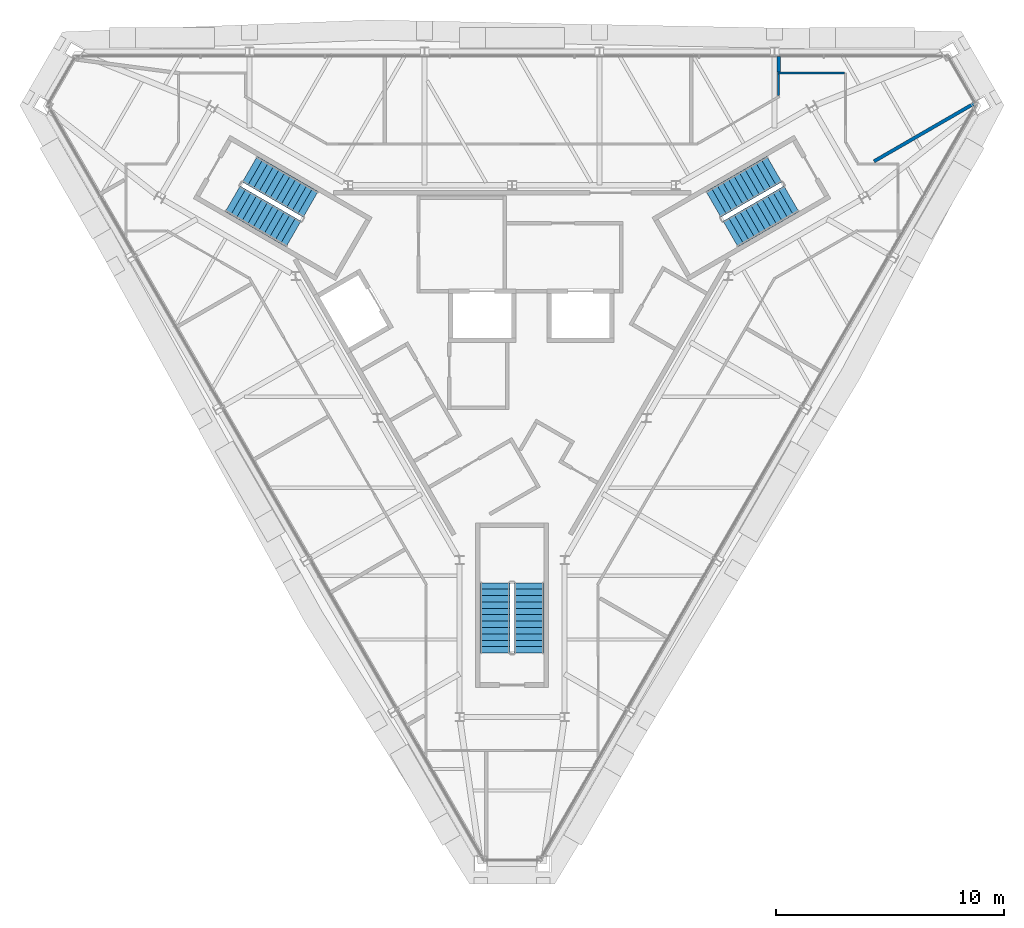
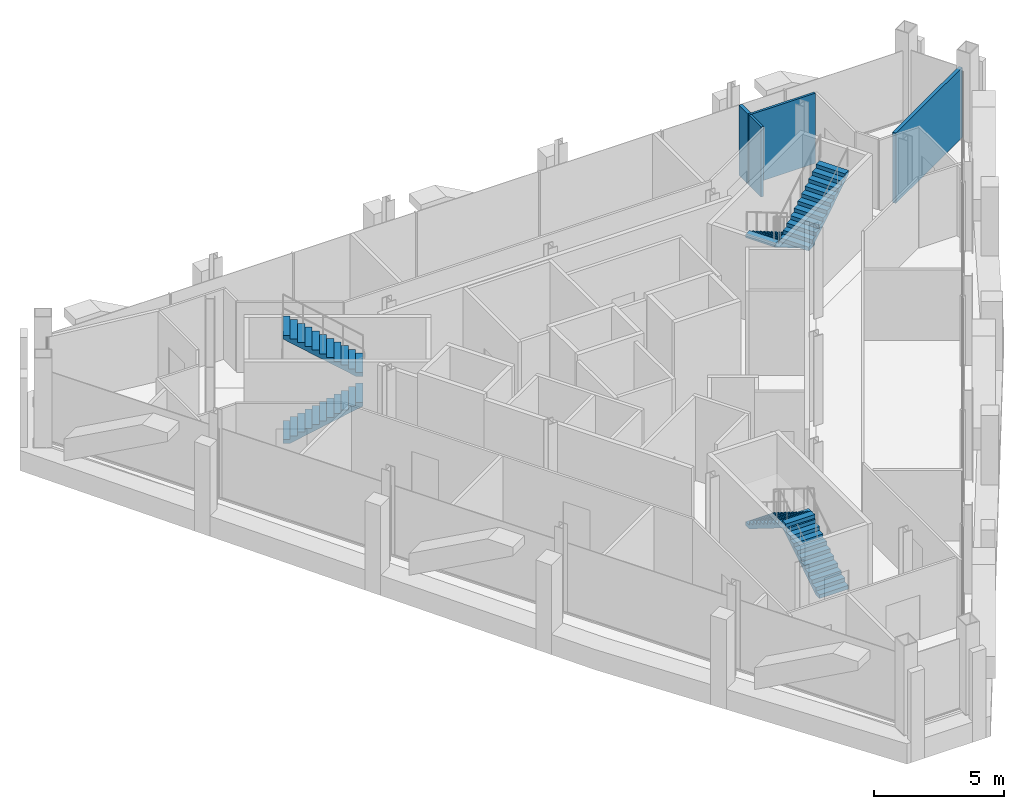
# One storey, part 11 of 13: 6 stair flights, 4 walls, 3 elements without a shape of their own.
"""IFC4 building model written with IfcOpenShell, lengths in metres."""

import ifcopenshell
import ifcopenshell.guid

model = None  # the IFC model being written
_history = None  # IfcOwnerHistory: only IFC2X3 demands one
_inside = {}  # id of a spatial element -> (the spatial element, [elements in it])
_under = {}  # id of a project, library or spatial element -> (it, [spatial elements below it])
_declared = {}  # id of a project -> (the project, [libraries it declares])
_typed = {}  # id of a type object -> (the type object, [elements of that type])
_made_of = {}  # id of a material, layer set ... -> (it, [elements and type objects made of it])


def new_model(schema):
    """Start an empty IFC model of exactly this schema.

    Asked for "IFC4X3", IfcOpenShell would pick the latest addendum, in which some entities
    have other attributes; the version numbers below select the first issue.
    IFC2X3 requires an IfcOwnerHistory on every rooted entity: one is made here for all.
    """
    global model, _history
    if schema == "IFC4X3":
        model = ifcopenshell.file(schema_version=(4, 3, 0, 0))
    else:
        model = ifcopenshell.file(schema=schema)
    _inside.clear()
    _under.clear()
    _declared.clear()
    _typed.clear()
    _made_of.clear()
    _history = None
    if model.schema == "IFC2X3":
        org = make("IfcOrganization", Name="unknown")
        user = make(
            "IfcPersonAndOrganization",
            ThePerson=make("IfcPerson", FamilyName="unknown"),
            TheOrganization=org,
        )
        app = make(
            "IfcApplication",
            ApplicationDeveloper=org,
            Version="unknown",
            ApplicationFullName="unknown",
            ApplicationIdentifier="unknown",
        )
        _history = make(
            "IfcOwnerHistory",
            OwningUser=user,
            OwningApplication=app,
            ChangeAction="ADDED",
            CreationDate=0,
        )
    return model


def make(cls, **values):
    """One entity of the class cls with the attributes given. An attribute that is None is left unset."""
    return model.create_entity(
        cls, **{name: value for name, value in values.items() if value is not None}
    )


def rooted(cls, **values):
    """An entity with a GlobalId (a new one), such as an element, a storey or a relation."""
    return make(cls, GlobalId=ifcopenshell.guid.new(), OwnerHistory=_history, **values)


def si_unit(unit_type, name, prefix=None):
    """IfcSIUnit, for example si_unit("LENGTHUNIT", "METRE", prefix="MILLI")."""
    return make("IfcSIUnit", UnitType=unit_type, Prefix=prefix, Name=name)


def assignment(units):
    """IfcUnitAssignment: the units of a project."""
    return None if units is None else make("IfcUnitAssignment", Units=units)


def point(xyz):
    """IfcCartesianPoint."""
    return None if xyz is None else make("IfcCartesianPoint", Coordinates=xyz)


def direction(xyz):
    """IfcDirection."""
    return None if xyz is None else make("IfcDirection", DirectionRatios=xyz)


def frame(location, z_axis=None, x_axis=None):
    """IfcAxis2Placement3D, a coordinate frame: its origin and axes. An axis left out is left unset."""
    return make(
        "IfcAxis2Placement3D",
        Location=point(location),
        Axis=direction(z_axis),
        RefDirection=direction(x_axis),
    )


def frame_2d(location, x_axis=None):
    """IfcAxis2Placement2D, a coordinate frame in the plane: its origin and x axis."""
    return make(
        "IfcAxis2Placement2D", Location=point(location), RefDirection=direction(x_axis)
    )


def origin():
    """The frame at (0, 0, 0) with its axes left unset."""
    return frame((0.0, 0.0, 0.0))


def place(relative_to, where):
    """IfcLocalPlacement: puts the frame where relative to a parent placement (None: the world)."""
    return make(
        "IfcLocalPlacement", PlacementRelTo=relative_to, RelativePlacement=where
    )


def context(
    kind, dimensions, precision=None, world=None, true_north=None, identifier=None
):
    """IfcGeometricRepresentationContext, for example the 3D "Model" context."""
    return make(
        "IfcGeometricRepresentationContext",
        ContextIdentifier=identifier,
        ContextType=kind,
        CoordinateSpaceDimension=dimensions,
        Precision=precision,
        WorldCoordinateSystem=world,
        TrueNorth=true_north,
    )


def subcontext(parent, identifier, kind, view, scale=None):
    """IfcGeometricRepresentationSubContext, for example "Body" below "Model"."""
    return make(
        "IfcGeometricRepresentationSubContext",
        ContextIdentifier=identifier,
        ContextType=kind,
        ParentContext=parent,
        TargetScale=scale,
        TargetView=view,
    )


def project(units=None, contexts=None):
    """IfcProject with its units and contexts."""
    return rooted(
        "IfcProject",
        Name="project",
        RepresentationContexts=contexts,
        UnitsInContext=assignment(units),
    )


def spatial(cls, under=None, at=None, **own):
    """A site, building, storey or space (cls), placed at a placement, below another one or the project."""
    s = rooted(cls, ObjectPlacement=at, **own)
    if under is not None:
        _under.setdefault(under.id(), (under, []))[1].append(s)
    return s


def polyline(points):
    """IfcPolyline through the points."""
    return make("IfcPolyline", Points=[point(p) for p in points])


def profile(cls, at=None, kind="AREA", **sizes):
    """A parametric profile (cls). Its sizes go by their IFC names, for example OverallWidth=200.0."""
    return make(cls, ProfileType=kind, Position=at, **sizes)


def rectangle(**sizes):
    """IfcRectangleProfileDef."""
    return profile("IfcRectangleProfileDef", **sizes)


def outline(outer, holes=None, kind="AREA"):
    """IfcArbitraryClosedProfileDef: a profile drawn as a closed curve; with holes, ...WithVoids."""
    if holes is None:
        return make("IfcArbitraryClosedProfileDef", ProfileType=kind, OuterCurve=outer)
    return make(
        "IfcArbitraryProfileDefWithVoids",
        ProfileType=kind,
        OuterCurve=outer,
        InnerCurves=holes,
    )


def extrude(swept, where, along, depth):
    """IfcExtrudedAreaSolid: the profile swept, set in the frame where, extruded along a direction by depth."""
    return make(
        "IfcExtrudedAreaSolid",
        SweptArea=swept,
        Position=where,
        ExtrudedDirection=direction(along),
        Depth=depth,
    )


def shape(context_of_items, identifier, shape_type, items):
    """IfcShapeRepresentation: the items that make up one representation, for example the "Body"."""
    return make(
        "IfcShapeRepresentation",
        ContextOfItems=context_of_items,
        RepresentationIdentifier=identifier,
        RepresentationType=shape_type,
        Items=items,
    )


def material(Name=None, Category=None):
    """IfcMaterial."""
    return make("IfcMaterial", Name=Name, Category=Category)


def layer(
    of_material, thickness, ventilated=None, Name=None, Category=None, Priority=None
):
    """IfcMaterialLayer: one layer of a wall or slab, of a material (None: an air gap)."""
    return make(
        "IfcMaterialLayer",
        Material=of_material,
        LayerThickness=thickness,
        IsVentilated=ventilated,
        Name=Name,
        Category=Category,
        Priority=Priority,
    )


def layer_set(layers, Name=None):
    """IfcMaterialLayerSet."""
    return make("IfcMaterialLayerSet", MaterialLayers=layers, LayerSetName=Name)


def made_of(thing, what):
    """Note that an element or type object is made of a material, layer set ...; save() writes the relation."""
    if what is not None:
        _made_of.setdefault(what.id(), (what, []))[1].append(thing)
    return thing


def type_object(cls, material=None, **own):
    """A type object (cls), such as IfcWallType, which elements share."""
    return made_of(rooted(cls, **own), material)


def element(
    cls,
    number,
    at=None,
    inside=None,
    cuts=None,
    type_object=None,
    material=None,
    context=None,
    identifier="Body",
    shape_type=None,
    held_by="IfcProductDefinitionShape",
    body=None,
    shapes=None,
    **own,
):
    """One element of the class cls, such as IfcWall. Its Tag is "e" and its number.

    at: its placement. inside: the storey or other place that contains it. cuts: it is an
    opening in that element (IfcRelVoidsElement). A single representation is given by context,
    identifier, shape_type and body (its items); several are given by shapes. held_by: the class
    of the entity that holds the representations. save() writes the other relations.
    """
    e = rooted(cls, Tag="e%d" % number, ObjectPlacement=at, **own)
    if body is not None:
        shapes = [shape(context, identifier, shape_type, body)]
    if shapes is not None:
        e.Representation = make(held_by, Representations=shapes)
    if inside is not None:
        _inside.setdefault(inside.id(), (inside, []))[1].append(e)
    if cuts is not None:
        rooted(
            "IfcRelVoidsElement", RelatingBuildingElement=cuts, RelatedOpeningElement=e
        )
    if type_object is not None:
        _typed.setdefault(type_object.id(), (type_object, []))[1].append(e)
    return made_of(e, material)


def aggregate(whole, parts):
    """IfcRelAggregates: a whole, such as a stair, and the parts it consists of."""
    return rooted("IfcRelAggregates", RelatingObject=whole, RelatedObjects=parts)


def save(model, path):
    """Write the relations noted so far, then the file.

    IfcRelAggregates (storeys below a building ...), IfcRelContainedInSpatialStructure (elements
    in a storey), IfcRelDefinesByType, IfcRelAssociatesMaterial and IfcRelDeclares: one each for
    every whole, place, type object, material and project.
    """
    for whole, parts in _under.values():
        aggregate(whole, parts)
    for where, things in _inside.values():
        rooted(
            "IfcRelContainedInSpatialStructure",
            RelatedElements=things,
            RelatingStructure=where,
        )
    for kind, things in _typed.values():
        rooted("IfcRelDefinesByType", RelatedObjects=things, RelatingType=kind)
    for what, things in _made_of.values():
        rooted("IfcRelAssociatesMaterial", RelatedObjects=things, RelatingMaterial=what)
    for by, libraries in _declared.values():
        rooted("IfcRelDeclares", RelatingContext=by, RelatedDefinitions=libraries)
    model.write(path)


model = new_model("IFC4")

# Units and contexts
model_context = context("Model", 3, precision=1e-05, world=origin(), true_north=direction((0.0, 1.0)))
body_context = subcontext(model_context, "Body", "Model", "MODEL_VIEW")
ifc_project = project(units=[si_unit("LENGTHUNIT", "METRE"), si_unit("AREAUNIT", "SQUARE_METRE"), si_unit("VOLUMEUNIT", "CUBIC_METRE"), si_unit("PLANEANGLEUNIT", "RADIAN"), si_unit("MASSUNIT", "GRAM", prefix="KILO")], contexts=[model_context])

# Site, building, storey
site_placement = place(None, origin())
site = spatial("IfcSite", under=ifc_project, at=site_placement, CompositionType="ELEMENT")
building_placement = place(site_placement, origin())
building = spatial("IfcBuilding", under=site, at=building_placement, Name="Verrane Prism Tower", CompositionType="ELEMENT")
storey_placement = place(building_placement, frame((0.0, 0.0, 325.199951171875)))
storey = spatial("IfcBuildingStorey", under=building, at=storey_placement, Name="L82", CompositionType="ELEMENT", Elevation=325.199951171875)

# Walls
ifc_material_1 = material(Name="Gypsum board partition", Category="other")
ifc_layer_1 = layer(ifc_material_1, 0.10009765625)
ifc_layer_set_1 = layer_set([ifc_layer_1], Name="PW-100 crown corridor wall 1 h")
wall_type_1 = type_object("IfcWallType", Name="PW-100 crown corridor wall 1 h", PredefinedType="PARTITIONING", material=ifc_layer_set_1)
wall_1_placement = place(storey_placement, frame((11.6708984375, 10.73388671875, 0.0), z_axis=(0.0, 0.0, 1.0), x_axis=(0.0, 1.0, 0.0)))
element("IfcWall", 1, at=wall_1_placement, inside=storey, type_object=wall_type_1, Name="Corridor wall 029", PredefinedType="PARTITIONING", context=body_context, shape_type="SweptSolid", body=[
    extrude(rectangle(XDim=0.925048828125, YDim=0.10009765625, at=frame_2d((0.46240234375, 0.0))), origin(), (0.0, 0.0, 1.0), 3.297119140625),
])
wall_2_placement = place(storey_placement, frame((11.62109375, 11.708984375, 0.0), z_axis=(0.0, 0.0, 1.0), x_axis=(1.0, 0.0, 0.0)))
element("IfcWall", 2, at=wall_2_placement, inside=storey, type_object=wall_type_1, Name="Corridor wall 030", PredefinedType="PARTITIONING", context=body_context, shape_type="SweptSolid", body=[
    extrude(rectangle(XDim=2.93798828125, YDim=0.10009765625, at=frame_2d((1.468994140625, 0.0))), origin(), (0.0, 0.0, 1.0), 3.297119140625),
])
ifc_material_2 = material(Name="Gypsum board partition", Category="other")
ifc_layer_2 = layer(ifc_material_2, 0.14990234375)
ifc_layer_set_2 = layer_set([ifc_layer_2], Name="PW-150 demising wall 1 h")
wall_type_2 = type_object("IfcWallType", Name="PW-150 demising wall 1 h", PredefinedType="PARTITIONING", material=ifc_layer_set_2)
wall_3_placement = place(storey_placement, frame((11.69091796875, 11.759033203125, 0.0), z_axis=(0.0, 0.0, 1.0), x_axis=(0.0, 1.0, 0.0)))
element("IfcWall", 3, at=wall_3_placement, inside=storey, type_object=wall_type_2, Name="Demising wall 031", PredefinedType="PARTITIONING", context=body_context, shape_type="SweptSolid", body=[
    extrude(rectangle(XDim=0.674072265625, YDim=0.14990234375, at=frame_2d((0.3369140625, 0.0))), origin(), (0.0, 0.0, 1.0), 3.297119140625),
])
wall_4_placement = place(storey_placement, frame((15.85888671875, 7.843994140625, 0.0), z_axis=(0.0, 0.0, 1.0), x_axis=(0.865941920763, 0.500144568965, 0.0)))
element("IfcWall", 4, at=wall_4_placement, inside=storey, type_object=wall_type_2, Name="Demising wall 036", PredefinedType="PARTITIONING", context=body_context, shape_type="SweptSolid", body=[
    extrude(rectangle(XDim=5.1064453125, YDim=0.14990234375, at=frame_2d((2.55322265625, 0.0))), origin(), (0.0, 0.0, 1.0), 3.297119140625),
])

# Stair, stair flights
ifc_material_3 = material(Name="Concrete C40/50", Category="concrete")
stair_type = type_object("IfcStairType", Name="Exit stair 1300 dog-leg precast concrete C40/50", PredefinedType="HALF_TURN_STAIR", material=ifc_material_3)
stair_1_placement = place(storey_placement, origin())
stair_1 = element("IfcStair", 5, at=stair_1_placement, inside=storey, type_object=stair_type, Name="Stair 1 L82", PredefinedType="HALF_TURN_STAIR")
ifc_material_4 = material(Name="Concrete C40/50", Category="concrete")
stair_flight_type = type_object("IfcStairFlightType", Name="Stair flight 1300 precast concrete C40/50", PredefinedType="STRAIGHT", material=ifc_material_4)
stair_flight_1_placement = place(storey_placement, frame((11.489501953125, 7.49951171875, 0.0), z_axis=(0.0, 0.0, 1.0), x_axis=(-0.866025403784, -0.5, 0.0)))
stair_flight_1 = element("IfcStairFlight", 6, at=stair_flight_1_placement, type_object=stair_flight_type, Name="Stair 1 flight 1", NumberOfRisers=12, NumberOfTreads=11, PredefinedType="STRAIGHT", RiserHeight=0.175, TreadLength=0.28, context=body_context, shape_type="SweptSolid", body=[
    extrude(outline(polyline([(0.0, 0.0), (0.0, 0.175048828125), (0.280029296875, 0.175048828125), (0.280029296875, 0.35009765625), (0.56005859375, 0.35009765625), (0.56005859375, 0.52490234375), (0.840087890625, 0.52490234375), (0.840087890625, 0.699951171875), (1.1201171875, 0.699951171875), (1.1201171875, 0.875), (1.39990234375, 0.875), (1.39990234375, 1.050048828125), (1.679931640625, 1.050048828125), (1.679931640625, 1.22509765625), (1.9599609375, 1.22509765625), (1.9599609375, 1.39990234375), (2.239990234375, 1.39990234375), (2.239990234375, 1.574951171875), (2.52001953125, 1.574951171875), (2.52001953125, 1.75), (2.800048828125, 1.75), (2.800048828125, 1.925048828125), (3.080078125, 1.925048828125), (3.080078125, 2.10009765625), (3.080078125, 1.748291015625), (0.28271484375, 0.0), (0.0, 0.0)])), frame((0.0, 0.64990234375, 0.0), z_axis=(0.0, -1.0, 0.0), x_axis=(1.0, 0.0, 0.0)), (0.0, 0.0, 1.0), 1.300048828125),
])
stair_flight_2_placement = place(storey_placement, frame((9.572265625, 4.660400390625, 2.10009765625), z_axis=(0.0, 0.0, 1.0), x_axis=(0.866025403784, 0.5, 0.0)))
stair_flight_2 = element("IfcStairFlight", 7, at=stair_flight_2_placement, type_object=stair_flight_type, Name="Stair 1 flight 2", NumberOfRisers=12, NumberOfTreads=11, PredefinedType="STRAIGHT", RiserHeight=0.175, TreadLength=0.28, context=body_context, shape_type="SweptSolid", body=[
    extrude(outline(polyline([(0.0, 0.0), (0.0, 0.175048828125), (0.280029296875, 0.175048828125), (0.280029296875, 0.35009765625), (0.56005859375, 0.35009765625), (0.56005859375, 0.52490234375), (0.840087890625, 0.52490234375), (0.840087890625, 0.699951171875), (1.1201171875, 0.699951171875), (1.1201171875, 0.875), (1.39990234375, 0.875), (1.39990234375, 1.050048828125), (1.679931640625, 1.050048828125), (1.679931640625, 1.22509765625), (1.9599609375, 1.22509765625), (1.9599609375, 1.39990234375), (2.239990234375, 1.39990234375), (2.239990234375, 1.574951171875), (2.52001953125, 1.574951171875), (2.52001953125, 1.75), (2.800048828125, 1.75), (2.800048828125, 1.925048828125), (3.080078125, 1.925048828125), (3.080078125, 2.10009765625), (3.080078125, 1.748291015625), (0.28271484375, 0.0), (0.0, 0.0)])), frame((0.0, 0.64990234375, 0.0), z_axis=(0.0, -1.0, 0.0), x_axis=(1.0, 0.0, 0.0)), (0.0, 0.0, 1.0), 1.300048828125),
])
aggregate(stair_1, [stair_flight_1, stair_flight_2])

stair_2_placement = place(storey_placement, origin())
stair_2 = element("IfcStair", 8, at=stair_2_placement, inside=storey, type_object=stair_type, Name="Stair 2 L82", PredefinedType="HALF_TURN_STAIR")
stair_flight_3_placement = place(storey_placement, frame((-12.239501953125, 6.200439453125, 0.0), z_axis=(0.0, 0.0, 1.0), x_axis=(0.866025403784, -0.5, 0.0)))
stair_flight_3 = element("IfcStairFlight", 9, at=stair_flight_3_placement, type_object=stair_flight_type, Name="Stair 2 flight 1", NumberOfRisers=12, NumberOfTreads=11, PredefinedType="STRAIGHT", RiserHeight=0.175, TreadLength=0.28, context=body_context, shape_type="SweptSolid", body=[
    extrude(outline(polyline([(0.0, 0.0), (0.0, 0.175048828125), (0.280029296875, 0.175048828125), (0.280029296875, 0.35009765625), (0.56005859375, 0.35009765625), (0.56005859375, 0.52490234375), (0.840087890625, 0.52490234375), (0.840087890625, 0.699951171875), (1.1201171875, 0.699951171875), (1.1201171875, 0.875), (1.39990234375, 0.875), (1.39990234375, 1.050048828125), (1.679931640625, 1.050048828125), (1.679931640625, 1.22509765625), (1.9599609375, 1.22509765625), (1.9599609375, 1.39990234375), (2.239990234375, 1.39990234375), (2.239990234375, 1.574951171875), (2.52001953125, 1.574951171875), (2.52001953125, 1.75), (2.800048828125, 1.75), (2.800048828125, 1.925048828125), (3.080078125, 1.925048828125), (3.080078125, 2.10009765625), (3.080078125, 1.748291015625), (0.28271484375, 0.0), (0.0, 0.0)])), frame((0.0, 0.64990234375, 0.0), z_axis=(0.0, -1.0, 0.0), x_axis=(1.0, 0.0, 0.0)), (0.0, 0.0, 1.0), 1.300048828125),
])
stair_flight_4_placement = place(storey_placement, frame((-8.822265625, 5.95947265625, 2.10009765625), z_axis=(0.0, 0.0, 1.0), x_axis=(-0.866025403784, 0.5, 0.0)))
stair_flight_4 = element("IfcStairFlight", 10, at=stair_flight_4_placement, type_object=stair_flight_type, Name="Stair 2 flight 2", NumberOfRisers=12, NumberOfTreads=11, PredefinedType="STRAIGHT", RiserHeight=0.175, TreadLength=0.28, context=body_context, shape_type="SweptSolid", body=[
    extrude(outline(polyline([(0.0, 0.0), (0.0, 0.175048828125), (0.280029296875, 0.175048828125), (0.280029296875, 0.35009765625), (0.56005859375, 0.35009765625), (0.56005859375, 0.52490234375), (0.840087890625, 0.52490234375), (0.840087890625, 0.699951171875), (1.1201171875, 0.699951171875), (1.1201171875, 0.875), (1.39990234375, 0.875), (1.39990234375, 1.050048828125), (1.679931640625, 1.050048828125), (1.679931640625, 1.22509765625), (1.9599609375, 1.22509765625), (1.9599609375, 1.39990234375), (2.239990234375, 1.39990234375), (2.239990234375, 1.574951171875), (2.52001953125, 1.574951171875), (2.52001953125, 1.75), (2.800048828125, 1.75), (2.800048828125, 1.925048828125), (3.080078125, 1.925048828125), (3.080078125, 2.10009765625), (3.080078125, 1.748291015625), (0.28271484375, 0.0), (0.0, 0.0)])), frame((0.0, 0.64990234375, 0.0), z_axis=(0.0, -1.0, 0.0), x_axis=(1.0, 0.0, 0.0)), (0.0, 0.0, 1.0), 1.300048828125),
])
aggregate(stair_2, [stair_flight_3, stair_flight_4])

stair_3_placement = place(storey_placement, origin())
stair_3 = element("IfcStair", 11, at=stair_3_placement, inside=storey, type_object=stair_type, Name="Stair 3 L82", PredefinedType="HALF_TURN_STAIR")
stair_flight_5_placement = place(storey_placement, frame((0.75, -13.699951171875, 0.0), z_axis=(0.0, 0.0, 1.0), x_axis=(0.0, 1.0, 0.0)))
stair_flight_5 = element("IfcStairFlight", 12, at=stair_flight_5_placement, type_object=stair_flight_type, Name="Stair 3 flight 1", NumberOfRisers=12, NumberOfTreads=11, PredefinedType="STRAIGHT", RiserHeight=0.175, TreadLength=0.28, context=body_context, shape_type="SweptSolid", body=[
    extrude(outline(polyline([(0.0, 0.0), (0.0, 0.175048828125), (0.280029296875, 0.175048828125), (0.280029296875, 0.35009765625), (0.56005859375, 0.35009765625), (0.56005859375, 0.52490234375), (0.840087890625, 0.52490234375), (0.840087890625, 0.699951171875), (1.1201171875, 0.699951171875), (1.1201171875, 0.875), (1.39990234375, 0.875), (1.39990234375, 1.050048828125), (1.679931640625, 1.050048828125), (1.679931640625, 1.22509765625), (1.9599609375, 1.22509765625), (1.9599609375, 1.39990234375), (2.239990234375, 1.39990234375), (2.239990234375, 1.574951171875), (2.52001953125, 1.574951171875), (2.52001953125, 1.75), (2.800048828125, 1.75), (2.800048828125, 1.925048828125), (3.080078125, 1.925048828125), (3.080078125, 2.10009765625), (3.080078125, 1.748291015625), (0.28271484375, 0.0), (0.0, 0.0)])), frame((0.0, 0.64990234375, 0.0), z_axis=(0.0, -1.0, 0.0), x_axis=(1.0, 0.0, 0.0)), (0.0, 0.0, 1.0), 1.300048828125),
])
stair_flight_6_placement = place(storey_placement, frame((-0.75, -10.6201171875, 2.10009765625), z_axis=(0.0, 0.0, 1.0), x_axis=(0.0, -1.0, 0.0)))
stair_flight_6 = element("IfcStairFlight", 13, at=stair_flight_6_placement, type_object=stair_flight_type, Name="Stair 3 flight 2", NumberOfRisers=12, NumberOfTreads=11, PredefinedType="STRAIGHT", RiserHeight=0.175, TreadLength=0.28, context=body_context, shape_type="SweptSolid", body=[
    extrude(outline(polyline([(0.0, 0.0), (0.0, 0.175048828125), (0.280029296875, 0.175048828125), (0.280029296875, 0.35009765625), (0.56005859375, 0.35009765625), (0.56005859375, 0.52490234375), (0.840087890625, 0.52490234375), (0.840087890625, 0.699951171875), (1.1201171875, 0.699951171875), (1.1201171875, 0.875), (1.39990234375, 0.875), (1.39990234375, 1.050048828125), (1.679931640625, 1.050048828125), (1.679931640625, 1.22509765625), (1.9599609375, 1.22509765625), (1.9599609375, 1.39990234375), (2.239990234375, 1.39990234375), (2.239990234375, 1.574951171875), (2.52001953125, 1.574951171875), (2.52001953125, 1.75), (2.800048828125, 1.75), (2.800048828125, 1.925048828125), (3.080078125, 1.925048828125), (3.080078125, 2.10009765625), (3.080078125, 1.748291015625), (0.28271484375, 0.0), (0.0, 0.0)])), frame((0.0, 0.64990234375, 0.0), z_axis=(0.0, -1.0, 0.0), x_axis=(1.0, 0.0, 0.0)), (0.0, 0.0, 1.0), 1.300048828125),
])
aggregate(stair_3, [stair_flight_5, stair_flight_6])

save(model, "model.ifc")
